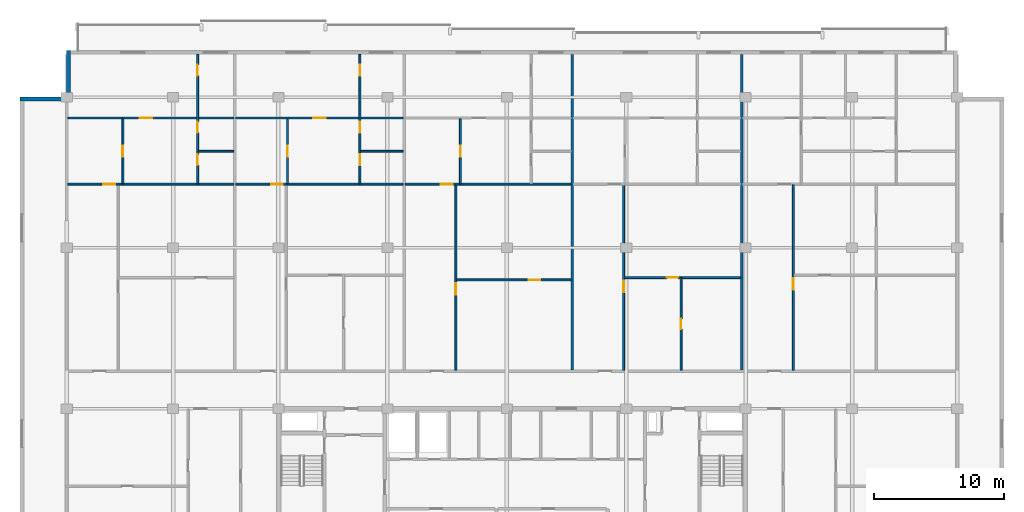
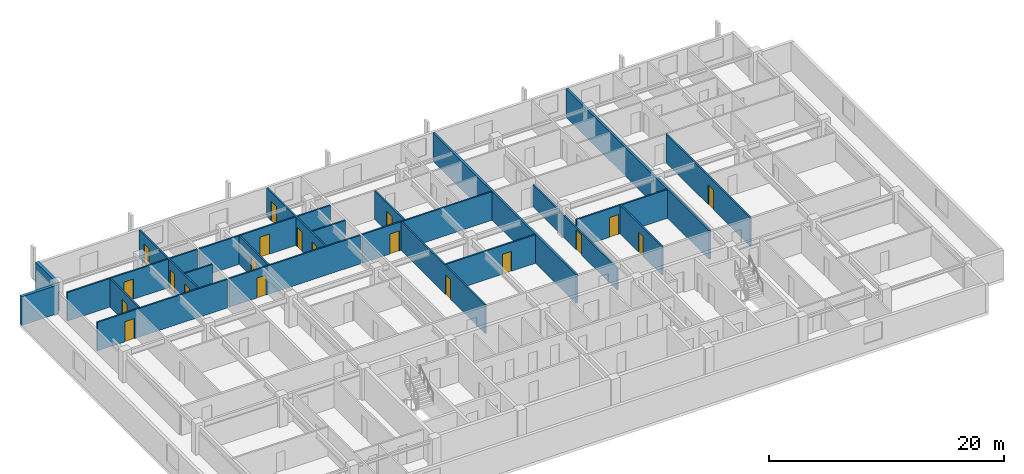
# One storey, part 7 of 11: 22 walls, 20 doors, 20 openings.
"""IFC4 building model written with IfcOpenShell, lengths in metres."""

from ifc_helpers import new_model, si_unit, direction, frame, frame_2d, origin, place, context, subcontext, project, spatial, rectangle, extrude, material, layer, layer_set, type_object, element, fill, save


model = new_model("IFC4")

# Units and contexts
model_context = context("Model", 3, precision=1e-05, world=origin(), true_north=direction((0.0, 1.0)))
body_context = subcontext(model_context, "Body", "Model", "MODEL_VIEW")
ifc_project = project(units=[si_unit("LENGTHUNIT", "METRE"), si_unit("AREAUNIT", "SQUARE_METRE"), si_unit("VOLUMEUNIT", "CUBIC_METRE"), si_unit("PLANEANGLEUNIT", "RADIAN"), si_unit("MASSUNIT", "GRAM", prefix="KILO")], contexts=[model_context])

# Site, building, storey
site_placement = place(None, origin())
site = spatial("IfcSite", under=ifc_project, at=site_placement, CompositionType="ELEMENT")
building_placement = place(site_placement, origin())
building = spatial("IfcBuilding", under=site, at=building_placement, Name="Korimba Cascade Residences", CompositionType="ELEMENT")
storey_placement = place(building_placement, frame((0.0, 0.0, 210.85009765625)))
storey = spatial("IfcBuildingStorey", under=building, at=storey_placement, Name="L61", CompositionType="ELEMENT", Elevation=210.85009765625)

# Walls
ifc_material_1 = material(Name="Precast concrete C40/50", Category="concrete")
ifc_layer_1 = layer(ifc_material_1, 0.300048828125)
ifc_layer_set_1 = layer_set([ifc_layer_1], Name="Precast concrete C40/50")
wall_type_1 = type_object("IfcWallType", Name="EW-STONE-300", PredefinedType="STANDARD", material=ifc_layer_set_1)
for number, where, z_axis, x_axis, name in (
    (1, (59.949951171875, 94.800048828125, 0.0), (0.0, 0.0, 1.0), (0.0, -1.0, 0.0), "L61 T1 Perimeter Stone Wall E07"),
    (2, (59.800048828125, 91.050048828125, 0.0), (0.0, 0.0, 1.0), (-1.0, 0.0, 0.0), "L61 T1 Perimeter Stone Wall E08"),
):
    element("IfcWall", number, at=place(storey_placement, frame(where, z_axis=z_axis, x_axis=x_axis)), inside=storey, type_object=wall_type_1, Name=name, PredefinedType="STANDARD", context=body_context, shape_type="SweptSolid", body=[
        extrude(rectangle(XDim=3.60009765625, YDim=0.300048828125, at=frame_2d((1.800048828125, 0.0))), origin(), (0.0, 0.0, 1.0), 2.969970703125),
    ])
ifc_layer_2 = layer(ifc_material_1, 0.199951171875)
ifc_layer_set_2 = layer_set([ifc_layer_2], Name="Precast concrete C40/50")
wall_type_2 = type_object("IfcWallType", Name="WAL-IT-200", PredefinedType="PARTITIONING", material=ifc_layer_set_2)
for number, where, z_axis, x_axis, name in (
    (3, (98.736083984375, 70.179931640625, 0.0), (0.0, 0.0, 1.0), (0.0, 1.0, 0.0), "L61 Partition Wall WAL-L61-T1-DEM-3"),
    (4, (111.800048828125, 70.179931640625, 0.0), (0.0, 0.0, 1.0), (0.0, 1.0, 0.0), "L61 Partition Wall WAL-L61-T1-DEM-4"),
):
    element("IfcWall", number, at=place(storey_placement, frame(where, z_axis=z_axis, x_axis=x_axis)), inside=storey, type_object=wall_type_2, Name=name, PredefinedType="PARTITIONING", context=body_context, shape_type="SweptSolid", body=[
        extrude(rectangle(XDim=24.320068359375, YDim=0.199951171875, at=frame_2d((12.16015625, 0.0))), origin(), (0.0, 0.0, 1.0), 2.969970703125),
    ])

# Wall, opening, door
ifc_material_2 = material(Name="Insulated Acoustic Stud Partition", Category="gypsum")
ifc_layer_3 = layer(ifc_material_2, 0.14990234375)
ifc_layer_set_3 = layer_set([ifc_layer_3], Name="Insulated Acoustic Stud Partition")
wall_type_3 = type_object("IfcWallType", Name="WAL-PART-150", PredefinedType="PARTITIONING", material=ifc_layer_set_3)
wall_1_placement = place(storey_placement, frame((64.1201171875, 84.5400390625, 0.0), z_axis=(0.0, 0.0, 1.0), x_axis=(0.0, 1.0, 0.0)))
wall_1 = element("IfcWall", 5, at=wall_1_placement, inside=storey, type_object=wall_type_3, Name="L61 Partition Wall WAL-L61-T1-U01-VDIN", PredefinedType="PARTITIONING", context=body_context, shape_type="SweptSolid", body=[
    extrude(rectangle(XDim=5.0, YDim=0.14990234375, at=frame_2d((2.5, 0.0))), origin(), (0.0, 0.0, 1.0), 2.969970703125),
])
opening_1_placement = place(wall_1_placement, frame((2.06005859375, 0.0, 0.0)))
opening_1 = element("IfcOpeningElement", 6, at=opening_1_placement, cuts=wall_1, Name="Opening D-IN2", PredefinedType="OPENING", context=body_context, shape_type="SweptSolid", body=[
    extrude(rectangle(XDim=0.8798828125, YDim=2.06005859375, at=frame_2d((0.43994140625, 1.030029296875))), frame((0.0, 0.0849609375, 0.0), z_axis=(0.0, -1.0, 0.0), x_axis=(1.0, 0.0, 0.0)), (0.0, 0.0, 1.0), 0.169921875),
])
ifc_material_3 = material(Name="Acoustic Timber Bedroom Door", Category="wood")
door_type_1 = type_object("IfcDoorType", Name="DR-INT-880", OperationType="NOTDEFINED", PredefinedType="DOOR", material=ifc_material_3)
door_1_placement = place(opening_1_placement, origin())
door_1 = element("IfcDoor", 7, at=door_1_placement, inside=storey, type_object=door_type_1, Name="L61-T1-U01 Dining Room Door", OperationType="SINGLE_SWING_RIGHT", OverallHeight=2.06005859375, OverallWidth=0.8798828125, PredefinedType="DOOR", context=body_context, shape_type="SweptSolid", body=[
    extrude(rectangle(XDim=0.8798828125, YDim=2.06005859375, at=frame_2d((0.43994140625, 1.030029296875))), frame((0.0, 0.02490234375, 0.0), z_axis=(0.0, -1.0, 0.0), x_axis=(1.0, 0.0, 0.0)), (0.0, 0.0, 1.0), 0.050048828125),
])
fill(opening_1, door_1)

# Wall
wall_2_placement = place(storey_placement, frame((69.93994140625, 87.0400390625, 0.0), z_axis=(0.0, 0.0, 1.0), x_axis=(1.0, 0.0, 0.0)))
element("IfcWall", 8, at=wall_2_placement, inside=storey, type_object=wall_type_3, Name="L61 Partition Wall WAL-L61-T1-U01-BLDIV", PredefinedType="PARTITIONING", context=body_context, shape_type="SweptSolid", body=[
    extrude(rectangle(XDim=2.716064453125, YDim=0.14990234375, at=frame_2d((1.35791015625, 0.0))), origin(), (0.0, 0.0, 1.0), 2.969970703125),
])

# Wall, openings, doors
wall_3_placement = place(storey_placement, frame((69.8798828125, 84.5400390625, 0.0), z_axis=(0.0, 0.0, 1.0), x_axis=(0.0, 1.0, 0.0)))
wall_3 = element("IfcWall", 9, at=wall_3_placement, inside=storey, type_object=wall_type_3, Name="L61 Partition Wall WAL-L61-T1-U01-V1", PredefinedType="PARTITIONING", context=body_context, shape_type="SweptSolid", body=[
    extrude(rectangle(XDim=9.9599609375, YDim=0.14990234375, at=frame_2d((4.97998046875, 0.0))), origin(), (0.0, 0.0, 1.0), 2.969970703125),
])
opening_2_placement = place(wall_3_placement, frame((1.430419921875, 0.0, 0.0)))
opening_2 = element("IfcOpeningElement", 10, at=opening_2_placement, cuts=wall_3, Name="Opening D-BT1", PredefinedType="OPENING", context=body_context, shape_type="SweptSolid", body=[
    extrude(rectangle(XDim=0.840087890625, YDim=2.0400390625, at=frame_2d((0.419921875, 1.02001953125))), frame((0.0, 0.0849609375, 0.0), z_axis=(0.0, -1.0, 0.0), x_axis=(1.0, 0.0, 0.0)), (0.0, 0.0, 1.0), 0.169921875),
])
opening_3_placement = place(wall_3_placement, frame((3.919921875, 0.0, 0.0)))
opening_3 = element("IfcOpeningElement", 11, at=opening_3_placement, cuts=wall_3, Name="Opening D-BT1", PredefinedType="OPENING", context=body_context, shape_type="SweptSolid", body=[
    extrude(rectangle(XDim=0.840087890625, YDim=2.0400390625, at=frame_2d((0.419921875, 1.02001953125))), frame((0.0, 0.0849609375, 0.0), z_axis=(0.0, -1.0, 0.0), x_axis=(1.0, 0.0, 0.0)), (0.0, 0.0, 1.0), 0.169921875),
])
opening_4_placement = place(wall_3_placement, frame((8.297119140625, 0.0, 0.0)))
opening_4 = element("IfcOpeningElement", 12, at=opening_4_placement, cuts=wall_3, Name="Opening D-IN2", PredefinedType="OPENING", context=body_context, shape_type="SweptSolid", body=[
    extrude(rectangle(XDim=0.8798828125, YDim=2.06005859375, at=frame_2d((0.43994140625, 1.030029296875))), frame((0.0, 0.0849609375, 0.0), z_axis=(0.0, -1.0, 0.0), x_axis=(1.0, 0.0, 0.0)), (0.0, 0.0, 1.0), 0.169921875),
])
ifc_material_4 = material(Name="Moisture-Resistant Bathroom Timber Door", Category="wood")
door_type_2 = type_object("IfcDoorType", Name="DR-INT-850", OperationType="NOTDEFINED", PredefinedType="DOOR", material=ifc_material_4)
door_2_placement = place(opening_2_placement, origin())
door_2 = element("IfcDoor", 13, at=door_2_placement, inside=storey, type_object=door_type_2, Name="L61-T1-U01 Bathroom Door", OperationType="SINGLE_SWING_LEFT", OverallHeight=2.0400390625, OverallWidth=0.840087890625, PredefinedType="DOOR", context=body_context, shape_type="SweptSolid", body=[
    extrude(rectangle(XDim=0.840087890625, YDim=2.0400390625, at=frame_2d((0.419921875, 1.02001953125))), frame((0.0, 0.02490234375, 0.0), z_axis=(0.0, -1.0, 0.0), x_axis=(1.0, 0.0, 0.0)), (0.0, 0.0, 1.0), 0.050048828125),
])
fill(opening_2, door_2)
door_3_placement = place(opening_3_placement, origin())
door_3 = element("IfcDoor", 14, at=door_3_placement, inside=storey, type_object=door_type_2, Name="L61-T1-U01 Laundry Door", OperationType="SINGLE_SWING_RIGHT", OverallHeight=2.0400390625, OverallWidth=0.840087890625, PredefinedType="DOOR", context=body_context, shape_type="SweptSolid", body=[
    extrude(rectangle(XDim=0.840087890625, YDim=2.0400390625, at=frame_2d((0.419921875, 1.02001953125))), frame((0.0, 0.02490234375, 0.0), z_axis=(0.0, -1.0, 0.0), x_axis=(1.0, 0.0, 0.0)), (0.0, 0.0, 1.0), 0.050048828125),
])
fill(opening_3, door_3)
door_4_placement = place(opening_4_placement, origin())
door_4 = element("IfcDoor", 15, at=door_4_placement, inside=storey, type_object=door_type_1, Name="L61-T1-U01 Bedroom 1 Door", OperationType="SINGLE_SWING_LEFT", OverallHeight=2.06005859375, OverallWidth=0.8798828125, PredefinedType="DOOR", context=body_context, shape_type="SweptSolid", body=[
    extrude(rectangle(XDim=0.8798828125, YDim=2.06005859375, at=frame_2d((0.43994140625, 1.030029296875))), frame((0.0, 0.02490234375, 0.0), z_axis=(0.0, -1.0, 0.0), x_axis=(1.0, 0.0, 0.0)), (0.0, 0.0, 1.0), 0.050048828125),
])
fill(opening_4, door_4)

# Wall, opening, door
wall_4_placement = place(storey_placement, frame((59.8798828125, 84.5, 0.0), z_axis=(0.0, 0.0, 1.0), x_axis=(1.0, 0.0, 0.0)))
wall_4 = element("IfcWall", 16, at=wall_4_placement, inside=storey, type_object=wall_type_3, Name="L61 Partition Wall WAL-L61-T1-U01-MW", PredefinedType="PARTITIONING", context=body_context, shape_type="SweptSolid", body=[
    extrude(rectangle(XDim=12.776123046875, YDim=0.14990234375, at=frame_2d((6.38818359375, 0.0))), origin(), (0.0, 0.0, 1.0), 2.969970703125),
])
opening_5_placement = place(wall_4_placement, frame((2.719970703125, 0.0, 0.0)))
opening_5 = element("IfcOpeningElement", 17, at=opening_5_placement, cuts=wall_4, Name="Opening D-IN1", PredefinedType="OPENING", context=body_context, shape_type="SweptSolid", body=[
    extrude(rectangle(XDim=0.919921875, YDim=2.080078125, at=frame_2d((0.4599609375, 1.0400390625))), frame((0.0, 0.0849609375, 0.0), z_axis=(0.0, -1.0, 0.0), x_axis=(1.0, 0.0, 0.0)), (0.0, 0.0, 1.0), 0.169921875),
])
ifc_material_5 = material(Name="Acoustic Timber Living Door", Category="wood")
door_type_3 = type_object("IfcDoorType", Name="DR-INT-920", OperationType="NOTDEFINED", PredefinedType="DOOR", material=ifc_material_5)
door_5_placement = place(opening_5_placement, origin())
door_5 = element("IfcDoor", 18, at=door_5_placement, inside=storey, type_object=door_type_3, Name="L61-T1-U01 Kitchen Archway Door", OperationType="SINGLE_SWING_RIGHT", OverallHeight=2.080078125, OverallWidth=0.919921875, PredefinedType="DOOR", context=body_context, shape_type="SweptSolid", body=[
    extrude(rectangle(XDim=0.919921875, YDim=2.080078125, at=frame_2d((0.4599609375, 1.0400390625))), frame((0.0, 0.02490234375, 0.0), z_axis=(0.0, -1.0, 0.0), x_axis=(1.0, 0.0, 0.0)), (0.0, 0.0, 1.0), 0.050048828125),
])
fill(opening_5, door_5)

wall_5_placement = place(storey_placement, frame((59.8798828125, 89.60009765625, 0.0), z_axis=(0.0, 0.0, 1.0), x_axis=(1.0, 0.0, 0.0)))
wall_5 = element("IfcWall", 19, at=wall_5_placement, inside=storey, type_object=wall_type_3, Name="L61 Partition Wall WAL-L61-T1-U01-HZ", PredefinedType="PARTITIONING", context=body_context, shape_type="SweptSolid", body=[
    extrude(rectangle(XDim=12.776123046875, YDim=0.14990234375, at=frame_2d((6.38818359375, 0.0))), origin(), (0.0, 0.0, 1.0), 2.969970703125),
])
opening_6_placement = place(wall_5_placement, frame((5.55712890625, 0.0, 0.0)))
opening_6 = element("IfcOpeningElement", 20, at=opening_6_placement, cuts=wall_5, Name="Opening D-IN0", PredefinedType="OPENING", context=body_context, shape_type="SweptSolid", body=[
    extrude(rectangle(XDim=0.93994140625, YDim=2.10009765625, at=frame_2d((0.469970703125, 1.050048828125))), frame((0.0, 0.0849609375, 0.0), z_axis=(0.0, -1.0, 0.0), x_axis=(1.0, 0.0, 0.0)), (0.0, 0.0, 1.0), 0.169921875),
])
ifc_material_6 = material(Name="Acoustic Timber Living Archway Door", Category="wood")
door_type_4 = type_object("IfcDoorType", Name="DR-INT-950", OperationType="NOTDEFINED", PredefinedType="DOOR", material=ifc_material_6)
door_6_placement = place(opening_6_placement, origin())
door_6 = element("IfcDoor", 21, at=door_6_placement, inside=storey, type_object=door_type_4, Name="L61-T1-U01 Living Archway Door", OperationType="SINGLE_SWING_LEFT", OverallHeight=2.10009765625, OverallWidth=0.93994140625, PredefinedType="DOOR", context=body_context, shape_type="SweptSolid", body=[
    extrude(rectangle(XDim=0.93994140625, YDim=2.10009765625, at=frame_2d((0.469970703125, 1.050048828125))), frame((0.0, 0.02490234375, 0.0), z_axis=(0.0, -1.0, 0.0), x_axis=(1.0, 0.0, 0.0)), (0.0, 0.0, 1.0), 0.050048828125),
])
fill(opening_6, door_6)

wall_6_placement = place(storey_placement, frame((76.80615234375, 84.5400390625, 0.0), z_axis=(0.0, 0.0, 1.0), x_axis=(0.0, 1.0, 0.0)))
wall_6 = element("IfcWall", 22, at=wall_6_placement, inside=storey, type_object=wall_type_3, Name="L61 Partition Wall WAL-L61-T1-U02-VDIN", PredefinedType="PARTITIONING", context=body_context, shape_type="SweptSolid", body=[
    extrude(rectangle(XDim=5.0, YDim=0.14990234375, at=frame_2d((2.5, 0.0))), origin(), (0.0, 0.0, 1.0), 2.969970703125),
])
opening_7_placement = place(wall_6_placement, frame((2.06005859375, 0.0, 0.0)))
opening_7 = element("IfcOpeningElement", 23, at=opening_7_placement, cuts=wall_6, Name="Opening D-IN2", PredefinedType="OPENING", context=body_context, shape_type="SweptSolid", body=[
    extrude(rectangle(XDim=0.8798828125, YDim=2.06005859375, at=frame_2d((0.43994140625, 1.030029296875))), frame((0.0, 0.0849609375, 0.0), z_axis=(0.0, -1.0, 0.0), x_axis=(1.0, 0.0, 0.0)), (0.0, 0.0, 1.0), 0.169921875),
])
door_7_placement = place(opening_7_placement, origin())
door_7 = element("IfcDoor", 24, at=door_7_placement, inside=storey, type_object=door_type_1, Name="L61-T1-U02 Dining Room Door", OperationType="SINGLE_SWING_LEFT", OverallHeight=2.06005859375, OverallWidth=0.8798828125, PredefinedType="DOOR", context=body_context, shape_type="SweptSolid", body=[
    extrude(rectangle(XDim=0.8798828125, YDim=2.06005859375, at=frame_2d((0.43994140625, 1.030029296875))), frame((0.0, 0.02490234375, 0.0), z_axis=(0.0, -1.0, 0.0), x_axis=(1.0, 0.0, 0.0)), (0.0, 0.0, 1.0), 0.050048828125),
])
fill(opening_7, door_7)

# Wall
wall_7_placement = place(storey_placement, frame((82.43994140625, 87.0400390625, 0.0), z_axis=(0.0, 0.0, 1.0), x_axis=(1.0, 0.0, 0.0)))
element("IfcWall", 25, at=wall_7_placement, inside=storey, type_object=wall_type_3, Name="L61 Partition Wall WAL-L61-T1-U02-BLDIV", PredefinedType="PARTITIONING", context=body_context, shape_type="SweptSolid", body=[
    extrude(rectangle(XDim=3.280029296875, YDim=0.14990234375, at=frame_2d((1.64013671875, 0.0))), origin(), (0.0, 0.0, 1.0), 2.969970703125),
])

# Wall, openings, doors
wall_8_placement = place(storey_placement, frame((82.3798828125, 84.5400390625, 0.0), z_axis=(0.0, 0.0, 1.0), x_axis=(0.0, 1.0, 0.0)))
wall_8 = element("IfcWall", 26, at=wall_8_placement, inside=storey, type_object=wall_type_3, Name="L61 Partition Wall WAL-L61-T1-U02-V1", PredefinedType="PARTITIONING", context=body_context, shape_type="SweptSolid", body=[
    extrude(rectangle(XDim=9.9599609375, YDim=0.14990234375, at=frame_2d((4.97998046875, 0.0))), origin(), (0.0, 0.0, 1.0), 2.969970703125),
])
opening_8_placement = place(wall_8_placement, frame((1.430419921875, 0.0, 0.0)))
opening_8 = element("IfcOpeningElement", 27, at=opening_8_placement, cuts=wall_8, Name="Opening D-BT1", PredefinedType="OPENING", context=body_context, shape_type="SweptSolid", body=[
    extrude(rectangle(XDim=0.840087890625, YDim=2.0400390625, at=frame_2d((0.419921875, 1.02001953125))), frame((0.0, 0.0849609375, 0.0), z_axis=(0.0, -1.0, 0.0), x_axis=(1.0, 0.0, 0.0)), (0.0, 0.0, 1.0), 0.169921875),
])
opening_9_placement = place(wall_8_placement, frame((3.919921875, 0.0, 0.0)))
opening_9 = element("IfcOpeningElement", 28, at=opening_9_placement, cuts=wall_8, Name="Opening D-BT1", PredefinedType="OPENING", context=body_context, shape_type="SweptSolid", body=[
    extrude(rectangle(XDim=0.840087890625, YDim=2.0400390625, at=frame_2d((0.419921875, 1.02001953125))), frame((0.0, 0.0849609375, 0.0), z_axis=(0.0, -1.0, 0.0), x_axis=(1.0, 0.0, 0.0)), (0.0, 0.0, 1.0), 0.169921875),
])
opening_10_placement = place(wall_8_placement, frame((8.297119140625, 0.0, 0.0)))
opening_10 = element("IfcOpeningElement", 29, at=opening_10_placement, cuts=wall_8, Name="Opening D-IN2", PredefinedType="OPENING", context=body_context, shape_type="SweptSolid", body=[
    extrude(rectangle(XDim=0.8798828125, YDim=2.06005859375, at=frame_2d((0.43994140625, 1.030029296875))), frame((0.0, 0.0849609375, 0.0), z_axis=(0.0, -1.0, 0.0), x_axis=(1.0, 0.0, 0.0)), (0.0, 0.0, 1.0), 0.169921875),
])
door_8_placement = place(opening_8_placement, origin())
door_8 = element("IfcDoor", 30, at=door_8_placement, inside=storey, type_object=door_type_2, Name="L61-T1-U02 Bathroom Door", OperationType="SINGLE_SWING_RIGHT", OverallHeight=2.0400390625, OverallWidth=0.840087890625, PredefinedType="DOOR", context=body_context, shape_type="SweptSolid", body=[
    extrude(rectangle(XDim=0.840087890625, YDim=2.0400390625, at=frame_2d((0.419921875, 1.02001953125))), frame((0.0, 0.02490234375, 0.0), z_axis=(0.0, -1.0, 0.0), x_axis=(1.0, 0.0, 0.0)), (0.0, 0.0, 1.0), 0.050048828125),
])
fill(opening_8, door_8)
door_9_placement = place(opening_9_placement, origin())
door_9 = element("IfcDoor", 31, at=door_9_placement, inside=storey, type_object=door_type_2, Name="L61-T1-U02 Laundry Door", OperationType="SINGLE_SWING_LEFT", OverallHeight=2.0400390625, OverallWidth=0.840087890625, PredefinedType="DOOR", context=body_context, shape_type="SweptSolid", body=[
    extrude(rectangle(XDim=0.840087890625, YDim=2.0400390625, at=frame_2d((0.419921875, 1.02001953125))), frame((0.0, 0.02490234375, 0.0), z_axis=(0.0, -1.0, 0.0), x_axis=(1.0, 0.0, 0.0)), (0.0, 0.0, 1.0), 0.050048828125),
])
fill(opening_9, door_9)
door_10_placement = place(opening_10_placement, origin())
door_10 = element("IfcDoor", 32, at=door_10_placement, inside=storey, type_object=door_type_1, Name="L61-T1-U02 Bedroom 1 Door", OperationType="SINGLE_SWING_RIGHT", OverallHeight=2.06005859375, OverallWidth=0.8798828125, PredefinedType="DOOR", context=body_context, shape_type="SweptSolid", body=[
    extrude(rectangle(XDim=0.8798828125, YDim=2.06005859375, at=frame_2d((0.43994140625, 1.030029296875))), frame((0.0, 0.02490234375, 0.0), z_axis=(0.0, -1.0, 0.0), x_axis=(1.0, 0.0, 0.0)), (0.0, 0.0, 1.0), 0.050048828125),
])
fill(opening_10, door_10)

# Wall, opening, door
wall_9_placement = place(storey_placement, frame((72.816162109375, 84.5, 0.0), z_axis=(0.0, 0.0, 1.0), x_axis=(1.0, 0.0, 0.0)))
wall_9 = element("IfcWall", 33, at=wall_9_placement, inside=storey, type_object=wall_type_3, Name="L61 Partition Wall WAL-L61-T1-U02-MW", PredefinedType="PARTITIONING", context=body_context, shape_type="SweptSolid", body=[
    extrude(rectangle(XDim=12.90380859375, YDim=0.14990234375, at=frame_2d((6.451904296875, 0.0))), origin(), (0.0, 0.0, 1.0), 2.969970703125),
])
opening_11_placement = place(wall_9_placement, frame((2.719970703125, 0.0, 0.0)))
opening_11 = element("IfcOpeningElement", 34, at=opening_11_placement, cuts=wall_9, Name="Opening D-IN1", PredefinedType="OPENING", context=body_context, shape_type="SweptSolid", body=[
    extrude(rectangle(XDim=0.919921875, YDim=2.080078125, at=frame_2d((0.4599609375, 1.0400390625))), frame((0.0, 0.0849609375, 0.0), z_axis=(0.0, -1.0, 0.0), x_axis=(1.0, 0.0, 0.0)), (0.0, 0.0, 1.0), 0.169921875),
])
door_11_placement = place(opening_11_placement, origin())
door_11 = element("IfcDoor", 35, at=door_11_placement, inside=storey, type_object=door_type_3, Name="L61-T1-U02 Kitchen Archway Door", OperationType="SINGLE_SWING_LEFT", OverallHeight=2.080078125, OverallWidth=0.919921875, PredefinedType="DOOR", context=body_context, shape_type="SweptSolid", body=[
    extrude(rectangle(XDim=0.919921875, YDim=2.080078125, at=frame_2d((0.4599609375, 1.0400390625))), frame((0.0, 0.02490234375, 0.0), z_axis=(0.0, -1.0, 0.0), x_axis=(1.0, 0.0, 0.0)), (0.0, 0.0, 1.0), 0.050048828125),
])
fill(opening_11, door_11)

wall_10_placement = place(storey_placement, frame((72.816162109375, 89.60009765625, 0.0), z_axis=(0.0, 0.0, 1.0), x_axis=(1.0, 0.0, 0.0)))
wall_10 = element("IfcWall", 36, at=wall_10_placement, inside=storey, type_object=wall_type_3, Name="L61 Partition Wall WAL-L61-T1-U02-HZ", PredefinedType="PARTITIONING", context=body_context, shape_type="SweptSolid", body=[
    extrude(rectangle(XDim=12.90380859375, YDim=0.14990234375, at=frame_2d((6.451904296875, 0.0))), origin(), (0.0, 0.0, 1.0), 2.969970703125),
])
opening_12_placement = place(wall_10_placement, frame((5.98193359375, 0.0, 0.0)))
opening_12 = element("IfcOpeningElement", 37, at=opening_12_placement, cuts=wall_10, Name="Opening D-IN0", PredefinedType="OPENING", context=body_context, shape_type="SweptSolid", body=[
    extrude(rectangle(XDim=0.93994140625, YDim=2.10009765625, at=frame_2d((0.469970703125, 1.050048828125))), frame((0.0, 0.0849609375, 0.0), z_axis=(0.0, -1.0, 0.0), x_axis=(1.0, 0.0, 0.0)), (0.0, 0.0, 1.0), 0.169921875),
])
door_12_placement = place(opening_12_placement, origin())
door_12 = element("IfcDoor", 38, at=door_12_placement, inside=storey, type_object=door_type_4, Name="L61-T1-U02 Living Archway Door", OperationType="SINGLE_SWING_RIGHT", OverallHeight=2.10009765625, OverallWidth=0.93994140625, PredefinedType="DOOR", context=body_context, shape_type="SweptSolid", body=[
    extrude(rectangle(XDim=0.93994140625, YDim=2.10009765625, at=frame_2d((0.469970703125, 1.050048828125))), frame((0.0, 0.02490234375, 0.0), z_axis=(0.0, -1.0, 0.0), x_axis=(1.0, 0.0, 0.0)), (0.0, 0.0, 1.0), 0.050048828125),
])
fill(opening_12, door_12)

wall_11_placement = place(storey_placement, frame((89.830078125, 77.1298828125, 0.0), z_axis=(0.0, 0.0, 1.0), x_axis=(1.0, 0.0, 0.0)))
wall_11 = element("IfcWall", 39, at=wall_11_placement, inside=storey, type_object=wall_type_3, Name="L61 Partition Wall WAL-L61-T1-U03-FMH", PredefinedType="PARTITIONING", context=body_context, shape_type="SweptSolid", body=[
    extrude(rectangle(XDim=8.825927734375, YDim=0.14990234375, at=frame_2d((4.4130859375, 0.0))), origin(), (0.0, 0.0, 1.0), 2.969970703125),
])
opening_13_placement = place(wall_11_placement, frame((5.567138671875, 0.0, 0.0)))
opening_13 = element("IfcOpeningElement", 40, at=opening_13_placement, cuts=wall_11, Name="Opening D-IN2", PredefinedType="OPENING", context=body_context, shape_type="SweptSolid", body=[
    extrude(rectangle(XDim=0.8798828125, YDim=2.06005859375, at=frame_2d((0.43994140625, 1.030029296875))), frame((0.0, 0.0849609375, 0.0), z_axis=(0.0, -1.0, 0.0), x_axis=(1.0, 0.0, 0.0)), (0.0, 0.0, 1.0), 0.169921875),
])
door_13_placement = place(opening_13_placement, origin())
door_13 = element("IfcDoor", 41, at=door_13_placement, inside=storey, type_object=door_type_1, Name="L61-T1-U03 Library Salon Door", OperationType="SINGLE_SWING_LEFT", OverallHeight=2.06005859375, OverallWidth=0.8798828125, PredefinedType="DOOR", context=body_context, shape_type="SweptSolid", body=[
    extrude(rectangle(XDim=0.8798828125, YDim=2.06005859375, at=frame_2d((0.43994140625, 1.030029296875))), frame((0.0, 0.02490234375, 0.0), z_axis=(0.0, -1.0, 0.0), x_axis=(1.0, 0.0, 0.0)), (0.0, 0.0, 1.0), 0.050048828125),
])
fill(opening_13, door_13)

wall_12_placement = place(storey_placement, frame((89.77001953125, 70.159912109375, 0.0), z_axis=(0.0, 0.0, 1.0), x_axis=(0.0, 1.0, 0.0)))
wall_12 = element("IfcWall", 42, at=wall_12_placement, inside=storey, type_object=wall_type_3, Name="L61 Partition Wall WAL-L61-T1-U03-FV", PredefinedType="PARTITIONING", context=body_context, shape_type="SweptSolid", body=[
    extrude(rectangle(XDim=14.300048828125, YDim=0.14990234375, at=frame_2d((7.14990234375, 0.0))), origin(), (0.0, 0.0, 1.0), 2.969970703125),
])
opening_14_placement = place(wall_12_placement, frame((5.840087890625, 0.0, 0.0)))
opening_14 = element("IfcOpeningElement", 43, at=opening_14_placement, cuts=wall_12, Name="Opening D-IN2", PredefinedType="OPENING", context=body_context, shape_type="SweptSolid", body=[
    extrude(rectangle(XDim=0.8798828125, YDim=2.06005859375, at=frame_2d((0.43994140625, 1.030029296875))), frame((0.0, 0.0849609375, 0.0), z_axis=(0.0, -1.0, 0.0), x_axis=(1.0, 0.0, 0.0)), (0.0, 0.0, 1.0), 0.169921875),
])
door_14_placement = place(opening_14_placement, origin())
door_14 = element("IfcDoor", 44, at=door_14_placement, inside=storey, type_object=door_type_1, Name="L61-T1-U03 Media Lounge Door", OperationType="SINGLE_SWING_RIGHT", OverallHeight=2.06005859375, OverallWidth=0.8798828125, PredefinedType="DOOR", context=body_context, shape_type="SweptSolid", body=[
    extrude(rectangle(XDim=0.8798828125, YDim=2.06005859375, at=frame_2d((0.43994140625, 1.030029296875))), frame((0.0, 0.02490234375, 0.0), z_axis=(0.0, -1.0, 0.0), x_axis=(1.0, 0.0, 0.0)), (0.0, 0.0, 1.0), 0.050048828125),
])
fill(opening_14, door_14)

wall_13_placement = place(storey_placement, frame((90.1201171875, 84.5400390625, 0.0), z_axis=(0.0, 0.0, 1.0), x_axis=(0.0, 1.0, 0.0)))
wall_13 = element("IfcWall", 45, at=wall_13_placement, inside=storey, type_object=wall_type_3, Name="L61 Partition Wall WAL-L61-T1-U03-VDIN", PredefinedType="PARTITIONING", context=body_context, shape_type="SweptSolid", body=[
    extrude(rectangle(XDim=5.0, YDim=0.14990234375, at=frame_2d((2.5, 0.0))), origin(), (0.0, 0.0, 1.0), 2.969970703125),
])
opening_15_placement = place(wall_13_placement, frame((2.06005859375, 0.0, 0.0)))
opening_15 = element("IfcOpeningElement", 46, at=opening_15_placement, cuts=wall_13, Name="Opening D-IN2", PredefinedType="OPENING", context=body_context, shape_type="SweptSolid", body=[
    extrude(rectangle(XDim=0.8798828125, YDim=2.06005859375, at=frame_2d((0.43994140625, 1.030029296875))), frame((0.0, 0.0849609375, 0.0), z_axis=(0.0, -1.0, 0.0), x_axis=(1.0, 0.0, 0.0)), (0.0, 0.0, 1.0), 0.169921875),
])
door_15_placement = place(opening_15_placement, origin())
door_15 = element("IfcDoor", 47, at=door_15_placement, inside=storey, type_object=door_type_1, Name="L61-T1-U03 Dining Room Door", OperationType="SINGLE_SWING_LEFT", OverallHeight=2.06005859375, OverallWidth=0.8798828125, PredefinedType="DOOR", context=body_context, shape_type="SweptSolid", body=[
    extrude(rectangle(XDim=0.8798828125, YDim=2.06005859375, at=frame_2d((0.43994140625, 1.030029296875))), frame((0.0, 0.02490234375, 0.0), z_axis=(0.0, -1.0, 0.0), x_axis=(1.0, 0.0, 0.0)), (0.0, 0.0, 1.0), 0.050048828125),
])
fill(opening_15, door_15)

wall_14_placement = place(storey_placement, frame((85.8798828125, 84.5, 0.0), z_axis=(0.0, 0.0, 1.0), x_axis=(1.0, 0.0, 0.0)))
wall_14 = element("IfcWall", 48, at=wall_14_placement, inside=storey, type_object=wall_type_3, Name="L61 Partition Wall WAL-L61-T1-U03-MW", PredefinedType="PARTITIONING", context=body_context, shape_type="SweptSolid", body=[
    extrude(rectangle(XDim=12.776123046875, YDim=0.14990234375, at=frame_2d((6.38818359375, 0.0))), origin(), (0.0, 0.0, 1.0), 2.969970703125),
])
opening_16_placement = place(wall_14_placement, frame((2.719970703125, 0.0, 0.0)))
opening_16 = element("IfcOpeningElement", 49, at=opening_16_placement, cuts=wall_14, Name="Opening D-IN1", PredefinedType="OPENING", context=body_context, shape_type="SweptSolid", body=[
    extrude(rectangle(XDim=0.919921875, YDim=2.080078125, at=frame_2d((0.4599609375, 1.0400390625))), frame((0.0, 0.0849609375, 0.0), z_axis=(0.0, -1.0, 0.0), x_axis=(1.0, 0.0, 0.0)), (0.0, 0.0, 1.0), 0.169921875),
])
door_16_placement = place(opening_16_placement, origin())
door_16 = element("IfcDoor", 50, at=door_16_placement, inside=storey, type_object=door_type_3, Name="L61-T1-U03 Kitchen Archway Door", OperationType="SINGLE_SWING_LEFT", OverallHeight=2.080078125, OverallWidth=0.919921875, PredefinedType="DOOR", context=body_context, shape_type="SweptSolid", body=[
    extrude(rectangle(XDim=0.919921875, YDim=2.080078125, at=frame_2d((0.4599609375, 1.0400390625))), frame((0.0, 0.02490234375, 0.0), z_axis=(0.0, -1.0, 0.0), x_axis=(1.0, 0.0, 0.0)), (0.0, 0.0, 1.0), 0.050048828125),
])
fill(opening_16, door_16)

wall_15_placement = place(storey_placement, frame((107.123046875, 70.159912109375, 0.0), z_axis=(0.0, 0.0, 1.0), x_axis=(0.0, 1.0, 0.0)))
wall_15 = element("IfcWall", 51, at=wall_15_placement, inside=storey, type_object=wall_type_3, Name="L61 Partition Wall WAL-L61-T1-U04-FMV", PredefinedType="PARTITIONING", context=body_context, shape_type="SweptSolid", body=[
    extrude(rectangle(XDim=7.150146484375, YDim=0.14990234375, at=frame_2d((3.5751953125, 0.0))), origin(), (0.0, 0.0, 1.0), 2.969970703125),
])
opening_17_placement = place(wall_15_placement, frame((3.155029296875, 0.0, 0.0)))
opening_17 = element("IfcOpeningElement", 52, at=opening_17_placement, cuts=wall_15, Name="Opening D-BT1", PredefinedType="OPENING", context=body_context, shape_type="SweptSolid", body=[
    extrude(rectangle(XDim=0.840087890625, YDim=2.0400390625, at=frame_2d((0.419921875, 1.02001953125))), frame((0.0, 0.0849609375, 0.0), z_axis=(0.0, -1.0, 0.0), x_axis=(1.0, 0.0, 0.0)), (0.0, 0.0, 1.0), 0.169921875),
])
door_17_placement = place(opening_17_placement, origin())
door_17 = element("IfcDoor", 53, at=door_17_placement, inside=storey, type_object=door_type_2, Name="L61-T1-U04 Wardrobe Door", OperationType="SINGLE_SWING_LEFT", OverallHeight=2.0400390625, OverallWidth=0.840087890625, PredefinedType="DOOR", context=body_context, shape_type="SweptSolid", body=[
    extrude(rectangle(XDim=0.840087890625, YDim=2.0400390625, at=frame_2d((0.419921875, 1.02001953125))), frame((0.0, 0.02490234375, 0.0), z_axis=(0.0, -1.0, 0.0), x_axis=(1.0, 0.0, 0.0)), (0.0, 0.0, 1.0), 0.050048828125),
])
fill(opening_17, door_17)

wall_16_placement = place(storey_placement, frame((102.76611328125, 77.31005859375, 0.0), z_axis=(0.0, 0.0, 1.0), x_axis=(1.0, 0.0, 0.0)))
wall_16 = element("IfcWall", 54, at=wall_16_placement, inside=storey, type_object=wall_type_3, Name="L61 Partition Wall WAL-L61-T1-U04-FMH", PredefinedType="PARTITIONING", context=body_context, shape_type="SweptSolid", body=[
    extrude(rectangle(XDim=8.953857421875, YDim=0.14990234375, at=frame_2d((4.47705078125, 0.0))), origin(), (0.0, 0.0, 1.0), 2.969970703125),
])
opening_18_placement = place(wall_16_placement, frame((3.257080078125, 0.0, 0.0)))
opening_18 = element("IfcOpeningElement", 55, at=opening_18_placement, cuts=wall_16, Name="Opening D-IN2", PredefinedType="OPENING", context=body_context, shape_type="SweptSolid", body=[
    extrude(rectangle(XDim=0.8798828125, YDim=2.06005859375, at=frame_2d((0.43994140625, 1.030029296875))), frame((0.0, 0.0849609375, 0.0), z_axis=(0.0, -1.0, 0.0), x_axis=(1.0, 0.0, 0.0)), (0.0, 0.0, 1.0), 0.169921875),
])
door_18_placement = place(opening_18_placement, origin())
door_18 = element("IfcDoor", 56, at=door_18_placement, inside=storey, type_object=door_type_1, Name="L61-T1-U04 Library Salon Door", OperationType="SINGLE_SWING_RIGHT", OverallHeight=2.06005859375, OverallWidth=0.8798828125, PredefinedType="DOOR", context=body_context, shape_type="SweptSolid", body=[
    extrude(rectangle(XDim=0.8798828125, YDim=2.06005859375, at=frame_2d((0.43994140625, 1.030029296875))), frame((0.0, 0.02490234375, 0.0), z_axis=(0.0, -1.0, 0.0), x_axis=(1.0, 0.0, 0.0)), (0.0, 0.0, 1.0), 0.050048828125),
])
fill(opening_18, door_18)

wall_17_placement = place(storey_placement, frame((102.7060546875, 70.159912109375, 0.0), z_axis=(0.0, 0.0, 1.0), x_axis=(0.0, 1.0, 0.0)))
wall_17 = element("IfcWall", 57, at=wall_17_placement, inside=storey, type_object=wall_type_3, Name="L61 Partition Wall WAL-L61-T1-U04-FV", PredefinedType="PARTITIONING", context=body_context, shape_type="SweptSolid", body=[
    extrude(rectangle(XDim=14.300048828125, YDim=0.14990234375, at=frame_2d((7.14990234375, 0.0))), origin(), (0.0, 0.0, 1.0), 2.277099609375),
])
opening_19_placement = place(wall_17_placement, frame((6.02001953125, 0.0, 0.0)))
opening_19 = element("IfcOpeningElement", 58, at=opening_19_placement, cuts=wall_17, Name="Opening D-IN2", PredefinedType="OPENING", context=body_context, shape_type="SweptSolid", body=[
    extrude(rectangle(XDim=0.8798828125, YDim=2.06005859375, at=frame_2d((0.43994140625, 1.030029296875))), frame((0.0, 0.0849609375, 0.0), z_axis=(0.0, -1.0, 0.0), x_axis=(1.0, 0.0, 0.0)), (0.0, 0.0, 1.0), 0.169921875),
])
door_19_placement = place(opening_19_placement, origin())
door_19 = element("IfcDoor", 59, at=door_19_placement, inside=storey, type_object=door_type_1, Name="L61-T1-U04 Media Lounge Door", OperationType="SINGLE_SWING_LEFT", OverallHeight=2.06005859375, OverallWidth=0.8798828125, PredefinedType="DOOR", context=body_context, shape_type="SweptSolid", body=[
    extrude(rectangle(XDim=0.8798828125, YDim=2.06005859375, at=frame_2d((0.43994140625, 1.030029296875))), frame((0.0, 0.02490234375, 0.0), z_axis=(0.0, -1.0, 0.0), x_axis=(1.0, 0.0, 0.0)), (0.0, 0.0, 1.0), 0.050048828125),
])
fill(opening_19, door_19)

wall_18_placement = place(storey_placement, frame((115.77001953125, 70.159912109375, 0.0), z_axis=(0.0, 0.0, 1.0), x_axis=(0.0, 1.0, 0.0)))
wall_18 = element("IfcWall", 60, at=wall_18_placement, inside=storey, type_object=wall_type_3, Name="L61 Partition Wall WAL-L61-T1-U05-FV", PredefinedType="PARTITIONING", context=body_context, shape_type="SweptSolid", body=[
    extrude(rectangle(XDim=14.300048828125, YDim=0.14990234375, at=frame_2d((7.14990234375, 0.0))), origin(), (0.0, 0.0, 1.0), 2.969970703125),
])
opening_20_placement = place(wall_18_placement, frame((6.199951171875, 0.0, 0.0)))
opening_20 = element("IfcOpeningElement", 61, at=opening_20_placement, cuts=wall_18, Name="Opening D-IN2", PredefinedType="OPENING", context=body_context, shape_type="SweptSolid", body=[
    extrude(rectangle(XDim=0.8798828125, YDim=2.06005859375, at=frame_2d((0.43994140625, 1.030029296875))), frame((0.0, 0.0849609375, 0.0), z_axis=(0.0, -1.0, 0.0), x_axis=(1.0, 0.0, 0.0)), (0.0, 0.0, 1.0), 0.169921875),
])
door_20_placement = place(opening_20_placement, origin())
door_20 = element("IfcDoor", 62, at=door_20_placement, inside=storey, type_object=door_type_1, Name="L61-T1-U05 Media Lounge Door", OperationType="SINGLE_SWING_LEFT", OverallHeight=2.06005859375, OverallWidth=0.8798828125, PredefinedType="DOOR", context=body_context, shape_type="SweptSolid", body=[
    extrude(rectangle(XDim=0.8798828125, YDim=2.06005859375, at=frame_2d((0.43994140625, 1.030029296875))), frame((0.0, 0.02490234375, 0.0), z_axis=(0.0, -1.0, 0.0), x_axis=(1.0, 0.0, 0.0)), (0.0, 0.0, 1.0), 0.050048828125),
])
fill(opening_20, door_20)

save(model, "model.ifc")
